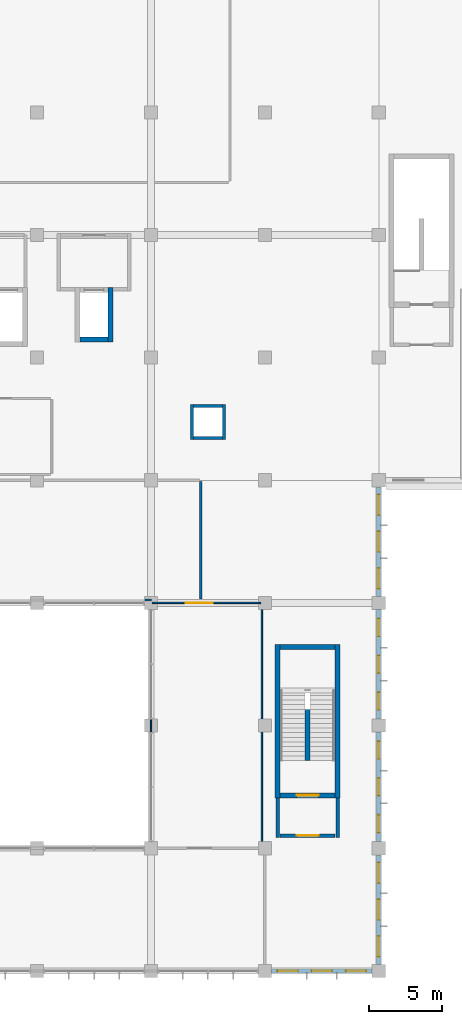
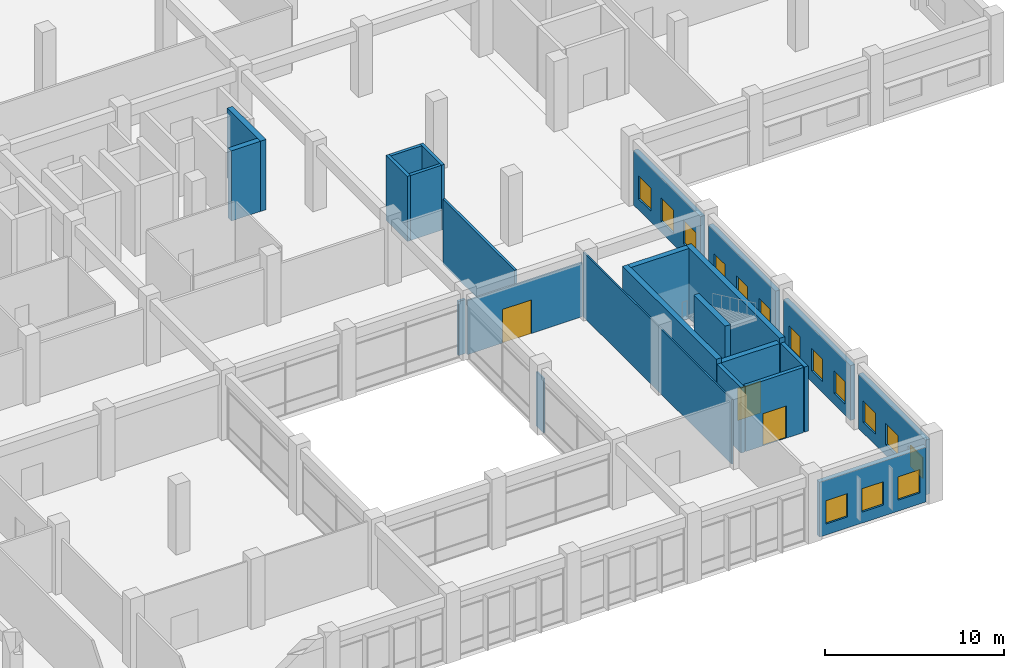
# One storey, part 63 of 79: 24 walls, 15 windows, 3 doors, 18 openings.
"""IFC4 building model written with IfcOpenShell, lengths in metres."""

import ifcopenshell
import ifcopenshell.guid

model = None  # the IFC model being written
_history = None  # IfcOwnerHistory: only IFC2X3 demands one
_inside = {}  # id of a spatial element -> (the spatial element, [elements in it])
_under = {}  # id of a project, library or spatial element -> (it, [spatial elements below it])
_declared = {}  # id of a project -> (the project, [libraries it declares])
_typed = {}  # id of a type object -> (the type object, [elements of that type])
_made_of = {}  # id of a material, layer set ... -> (it, [elements and type objects made of it])


def new_model(schema):
    """Start an empty IFC model of exactly this schema.

    Asked for "IFC4X3", IfcOpenShell would pick the latest addendum, in which some entities
    have other attributes; the version numbers below select the first issue.
    IFC2X3 requires an IfcOwnerHistory on every rooted entity: one is made here for all.
    """
    global model, _history
    if schema == "IFC4X3":
        model = ifcopenshell.file(schema_version=(4, 3, 0, 0))
    else:
        model = ifcopenshell.file(schema=schema)
    _inside.clear()
    _under.clear()
    _declared.clear()
    _typed.clear()
    _made_of.clear()
    _history = None
    if model.schema == "IFC2X3":
        org = make("IfcOrganization", Name="unknown")
        user = make(
            "IfcPersonAndOrganization",
            ThePerson=make("IfcPerson", FamilyName="unknown"),
            TheOrganization=org,
        )
        app = make(
            "IfcApplication",
            ApplicationDeveloper=org,
            Version="unknown",
            ApplicationFullName="unknown",
            ApplicationIdentifier="unknown",
        )
        _history = make(
            "IfcOwnerHistory",
            OwningUser=user,
            OwningApplication=app,
            ChangeAction="ADDED",
            CreationDate=0,
        )
    return model


def make(cls, **values):
    """One entity of the class cls with the attributes given. An attribute that is None is left unset."""
    return model.create_entity(
        cls, **{name: value for name, value in values.items() if value is not None}
    )


def rooted(cls, **values):
    """An entity with a GlobalId (a new one), such as an element, a storey or a relation."""
    return make(cls, GlobalId=ifcopenshell.guid.new(), OwnerHistory=_history, **values)


def si_unit(unit_type, name, prefix=None):
    """IfcSIUnit, for example si_unit("LENGTHUNIT", "METRE", prefix="MILLI")."""
    return make("IfcSIUnit", UnitType=unit_type, Prefix=prefix, Name=name)


def assignment(units):
    """IfcUnitAssignment: the units of a project."""
    return None if units is None else make("IfcUnitAssignment", Units=units)


def point(xyz):
    """IfcCartesianPoint."""
    return None if xyz is None else make("IfcCartesianPoint", Coordinates=xyz)


def direction(xyz):
    """IfcDirection."""
    return None if xyz is None else make("IfcDirection", DirectionRatios=xyz)


def frame(location, z_axis=None, x_axis=None):
    """IfcAxis2Placement3D, a coordinate frame: its origin and axes. An axis left out is left unset."""
    return make(
        "IfcAxis2Placement3D",
        Location=point(location),
        Axis=direction(z_axis),
        RefDirection=direction(x_axis),
    )


def frame_2d(location, x_axis=None):
    """IfcAxis2Placement2D, a coordinate frame in the plane: its origin and x axis."""
    return make(
        "IfcAxis2Placement2D", Location=point(location), RefDirection=direction(x_axis)
    )


def origin():
    """The frame at (0, 0, 0) with its axes left unset."""
    return frame((0.0, 0.0, 0.0))


def place(relative_to, where):
    """IfcLocalPlacement: puts the frame where relative to a parent placement (None: the world)."""
    return make(
        "IfcLocalPlacement", PlacementRelTo=relative_to, RelativePlacement=where
    )


def context(
    kind, dimensions, precision=None, world=None, true_north=None, identifier=None
):
    """IfcGeometricRepresentationContext, for example the 3D "Model" context."""
    return make(
        "IfcGeometricRepresentationContext",
        ContextIdentifier=identifier,
        ContextType=kind,
        CoordinateSpaceDimension=dimensions,
        Precision=precision,
        WorldCoordinateSystem=world,
        TrueNorth=true_north,
    )


def subcontext(parent, identifier, kind, view, scale=None):
    """IfcGeometricRepresentationSubContext, for example "Body" below "Model"."""
    return make(
        "IfcGeometricRepresentationSubContext",
        ContextIdentifier=identifier,
        ContextType=kind,
        ParentContext=parent,
        TargetScale=scale,
        TargetView=view,
    )


def project(units=None, contexts=None):
    """IfcProject with its units and contexts."""
    return rooted(
        "IfcProject",
        Name="project",
        RepresentationContexts=contexts,
        UnitsInContext=assignment(units),
    )


def spatial(cls, under=None, at=None, **own):
    """A site, building, storey or space (cls), placed at a placement, below another one or the project."""
    s = rooted(cls, ObjectPlacement=at, **own)
    if under is not None:
        _under.setdefault(under.id(), (under, []))[1].append(s)
    return s


def profile(cls, at=None, kind="AREA", **sizes):
    """A parametric profile (cls). Its sizes go by their IFC names, for example OverallWidth=200.0."""
    return make(cls, ProfileType=kind, Position=at, **sizes)


def rectangle(**sizes):
    """IfcRectangleProfileDef."""
    return profile("IfcRectangleProfileDef", **sizes)


def extrude(swept, where, along, depth):
    """IfcExtrudedAreaSolid: the profile swept, set in the frame where, extruded along a direction by depth."""
    return make(
        "IfcExtrudedAreaSolid",
        SweptArea=swept,
        Position=where,
        ExtrudedDirection=direction(along),
        Depth=depth,
    )


def shape(context_of_items, identifier, shape_type, items):
    """IfcShapeRepresentation: the items that make up one representation, for example the "Body"."""
    return make(
        "IfcShapeRepresentation",
        ContextOfItems=context_of_items,
        RepresentationIdentifier=identifier,
        RepresentationType=shape_type,
        Items=items,
    )


def material(Name=None, Category=None):
    """IfcMaterial."""
    return make("IfcMaterial", Name=Name, Category=Category)


def layer(
    of_material, thickness, ventilated=None, Name=None, Category=None, Priority=None
):
    """IfcMaterialLayer: one layer of a wall or slab, of a material (None: an air gap)."""
    return make(
        "IfcMaterialLayer",
        Material=of_material,
        LayerThickness=thickness,
        IsVentilated=ventilated,
        Name=Name,
        Category=Category,
        Priority=Priority,
    )


def layer_set(layers, Name=None):
    """IfcMaterialLayerSet."""
    return make("IfcMaterialLayerSet", MaterialLayers=layers, LayerSetName=Name)


def made_of(thing, what):
    """Note that an element or type object is made of a material, layer set ...; save() writes the relation."""
    if what is not None:
        _made_of.setdefault(what.id(), (what, []))[1].append(thing)
    return thing


def type_object(cls, material=None, **own):
    """A type object (cls), such as IfcWallType, which elements share."""
    return made_of(rooted(cls, **own), material)


def element(
    cls,
    number,
    at=None,
    inside=None,
    cuts=None,
    type_object=None,
    material=None,
    context=None,
    identifier="Body",
    shape_type=None,
    held_by="IfcProductDefinitionShape",
    body=None,
    shapes=None,
    **own,
):
    """One element of the class cls, such as IfcWall. Its Tag is "e" and its number.

    at: its placement. inside: the storey or other place that contains it. cuts: it is an
    opening in that element (IfcRelVoidsElement). A single representation is given by context,
    identifier, shape_type and body (its items); several are given by shapes. held_by: the class
    of the entity that holds the representations. save() writes the other relations.
    """
    e = rooted(cls, Tag="e%d" % number, ObjectPlacement=at, **own)
    if body is not None:
        shapes = [shape(context, identifier, shape_type, body)]
    if shapes is not None:
        e.Representation = make(held_by, Representations=shapes)
    if inside is not None:
        _inside.setdefault(inside.id(), (inside, []))[1].append(e)
    if cuts is not None:
        rooted(
            "IfcRelVoidsElement", RelatingBuildingElement=cuts, RelatedOpeningElement=e
        )
    if type_object is not None:
        _typed.setdefault(type_object.id(), (type_object, []))[1].append(e)
    return made_of(e, material)


def fill(opening, filler):
    """IfcRelFillsElement: the door or window that sits in an opening."""
    return rooted(
        "IfcRelFillsElement",
        RelatingOpeningElement=opening,
        RelatedBuildingElement=filler,
    )


def aggregate(whole, parts):
    """IfcRelAggregates: a whole, such as a stair, and the parts it consists of."""
    return rooted("IfcRelAggregates", RelatingObject=whole, RelatedObjects=parts)


def save(model, path):
    """Write the relations noted so far, then the file.

    IfcRelAggregates (storeys below a building ...), IfcRelContainedInSpatialStructure (elements
    in a storey), IfcRelDefinesByType, IfcRelAssociatesMaterial and IfcRelDeclares: one each for
    every whole, place, type object, material and project.
    """
    for whole, parts in _under.values():
        aggregate(whole, parts)
    for where, things in _inside.values():
        rooted(
            "IfcRelContainedInSpatialStructure",
            RelatedElements=things,
            RelatingStructure=where,
        )
    for kind, things in _typed.values():
        rooted("IfcRelDefinesByType", RelatedObjects=things, RelatingType=kind)
    for what, things in _made_of.values():
        rooted("IfcRelAssociatesMaterial", RelatedObjects=things, RelatingMaterial=what)
    for by, libraries in _declared.values():
        rooted("IfcRelDeclares", RelatingContext=by, RelatedDefinitions=libraries)
    model.write(path)


model = new_model("IFC4")

# Units and contexts
model_context = context("Model", 3, precision=1e-05, world=origin(), true_north=direction((0.0, 1.0)))
body_context = subcontext(model_context, "Body", "Model", "MODEL_VIEW")
ifc_project = project(units=[si_unit("LENGTHUNIT", "METRE"), si_unit("AREAUNIT", "SQUARE_METRE"), si_unit("VOLUMEUNIT", "CUBIC_METRE"), si_unit("PLANEANGLEUNIT", "RADIAN"), si_unit("MASSUNIT", "GRAM", prefix="KILO"), si_unit("THERMODYNAMICTEMPERATUREUNIT", "KELVIN"), si_unit("POWERUNIT", "WATT")], contexts=[model_context])

# Site, building, storey
site_placement = place(None, origin())
site = spatial("IfcSite", under=ifc_project, at=site_placement, CompositionType="ELEMENT")
building_placement = place(site_placement, origin())
building = spatial("IfcBuilding", under=site, at=building_placement, Name="Srebrne Nadtorze General Hospital", CompositionType="ELEMENT")
storey_placement = place(building_placement, frame((0.0, 0.0, 4.800048828125)))
storey = spatial("IfcBuildingStorey", under=building, at=storey_placement, Name="L01", CompositionType="ELEMENT", Elevation=4.800048828125)

# Walls
ifc_material_1 = material(Name="Gypsum Healthcare Partition")
ifc_layer_1 = layer(ifc_material_1, 0.159912109375)
ifc_layer_set_1 = layer_set([ifc_layer_1], Name="Gypsum Healthcare Partition")
wall_type_1 = type_object("IfcWallType", Name="Clinical partition 160", PredefinedType="PARTITIONING", material=ifc_layer_set_1)
wall_1_placement = place(storey_placement, frame((132.18994140625, 25.39990234375, 0.0), z_axis=(0.0, 0.0, 1.0), x_axis=(1.0, 0.0, 0.0)))
element("IfcWall", 1, at=wall_1_placement, inside=storey, type_object=wall_type_1, Name="Outpatient Rheumatology and Immunology Clinic wall WL-INT-L01-1493", PredefinedType="PARTITIONING", context=body_context, shape_type="SweptSolid", body=[
    extrude(rectangle(XDim=0.455078125, YDim=0.159912109375, at=frame_2d((0.2275390625, 0.0))), origin(), (0.0, 0.0, 1.0), 3.699951171875),
])
wall_2_placement = place(storey_placement, frame((136.0, 25.485107421875, 0.0), z_axis=(0.0, 0.0, 1.0), x_axis=(0.0, 1.0, 0.0)))
element("IfcWall", 2, at=wall_2_placement, inside=storey, type_object=wall_type_1, Name="Outpatient Rheumatology and Immunology Clinic wall WL-INT-L01-1495", PredefinedType="PARTITIONING", context=body_context, shape_type="SweptSolid", body=[
    extrude(rectangle(XDim=8.02978515625, YDim=0.159912109375, at=frame_2d((4.014892578125, 0.0))), origin(), (0.0, 0.0, 1.0), 4.429931640625),
])
ifc_material_2 = material(Name="Gypsum Healthcare Partition")
ifc_layer_2 = layer(ifc_material_2, 0.199951171875)
ifc_layer_set_2 = layer_set([ifc_layer_2], Name="Gypsum Healthcare Partition")
wall_type_2 = type_object("IfcWallType", Name="Compartment wall 200", PredefinedType="STANDARD", material=ifc_layer_set_2)
for number, where, z_axis, x_axis, name in (
    (3, (135.39990234375, 36.39990234375, 0.0), (0.0, 0.0, 1.0), (0.0, 1.0, 0.0), "MEP riser wall WL-INT-L01-0961"),
    (4, (137.60009765625, 36.39990234375, 0.0), (0.0, 0.0, 1.0), (0.0, 1.0, 0.0), "MEP riser wall WL-INT-L01-0962"),
):
    element("IfcWall", number, at=place(storey_placement, frame(where, z_axis=z_axis, x_axis=x_axis)), inside=storey, type_object=wall_type_2, Name=name, PredefinedType="STANDARD", context=body_context, shape_type="SweptSolid", body=[
        extrude(rectangle(XDim=2.400146484375, YDim=0.199951171875, at=frame_2d((1.2001953125, 0.0))), origin(), (0.0, 0.0, 1.0), 4.449951171875),
    ])
for number, where, z_axis, x_axis, name in (
    (5, (135.5, 36.5, 0.0), (0.0, 0.0, 1.0), (1.0, 0.0, 0.0), "MEP riser wall WL-INT-L01-0963"),
    (6, (135.5, 38.699951171875, 0.0), (0.0, 0.0, 1.0), (1.0, 0.0, 0.0), "MEP riser wall WL-INT-L01-0964"),
):
    element("IfcWall", number, at=place(storey_placement, frame(where, z_axis=z_axis, x_axis=x_axis)), inside=storey, type_object=wall_type_2, Name=name, PredefinedType="STANDARD", context=body_context, shape_type="SweptSolid", body=[
        extrude(rectangle(XDim=2.0, YDim=0.199951171875, at=frame_2d((1.0, 0.0))), origin(), (0.0, 0.0, 1.0), 4.449951171875),
    ])
ifc_material_3 = material(Name="Gypsum Healthcare Partition")
ifc_layer_3 = layer(ifc_material_3, 0.239990234375)
ifc_layer_set_3 = layer_set([ifc_layer_3], Name="Gypsum Healthcare Partition")
wall_type_3 = type_object("IfcWallType", Name="Corridor fire wall 240", PredefinedType="STANDARD", material=ifc_layer_set_3)
for number, where, z_axis, x_axis, name in (
    (7, (141.27490234375, 9.155029296875, 0.0), (0.0, 0.0, 1.0), (0.0, 1.0, 0.0), "Fire lobby wall ST-08 WL-INT-L01-0189"),
    (8, (145.375, 9.155029296875, 0.0), (0.0, 0.0, 1.0), (0.0, 1.0, 0.0), "Fire lobby wall ST-08 WL-INT-L01-0190"),
):
    element("IfcWall", number, at=place(storey_placement, frame(where, z_axis=z_axis, x_axis=x_axis)), inside=storey, type_object=wall_type_3, Name=name, PredefinedType="STANDARD", context=body_context, shape_type="SweptSolid", body=[
        extrude(rectangle(XDim=2.695068359375, YDim=0.239990234375, at=frame_2d((1.34765625, 0.0))), origin(), (0.0, 0.0, 1.0), 4.449951171875),
    ])

# Wall, opening, door
wall_3_placement = place(storey_placement, frame((141.449951171875, 9.27490234375, 0.0), z_axis=(0.0, 0.0, 1.0), x_axis=(1.0, 0.0, 0.0)))
wall_3 = element("IfcWall", 9, at=wall_3_placement, inside=storey, type_object=wall_type_3, Name="Fire lobby entry wall ST-08 WL-INT-L01-0191", PredefinedType="STANDARD", context=body_context, shape_type="SweptSolid", body=[
    extrude(rectangle(XDim=3.75, YDim=0.239990234375, at=frame_2d((1.875, 0.0))), origin(), (0.0, 0.0, 1.0), 4.449951171875),
])
opening_1_placement = place(wall_3_placement, frame((1.125, 0.0, 0.0)))
opening_1 = element("IfcOpeningElement", 10, at=opening_1_placement, cuts=wall_3, Name="Opening D-L01-0048", PredefinedType="OPENING", context=body_context, shape_type="SweptSolid", body=[
    extrude(rectangle(XDim=1.5, YDim=2.199951171875, at=frame_2d((0.75, 1.10009765625))), frame((0.0, 0.1318359375, 0.0), z_axis=(0.0, -1.0, 0.0), x_axis=(1.0, 0.0, 0.0)), (0.0, 0.0, 1.0), 0.263916015625),
])
ifc_material_4 = material(Name="Anodised Aluminium", Category="aluminium")
door_type_1 = type_object("IfcDoorType", Name="Double leaf door 1500x2200", OperationType="DOUBLE_DOOR_SINGLE_SWING", PredefinedType="DOOR", material=ifc_material_4)
door_1_placement = place(opening_1_placement, origin())
door_1 = element("IfcDoor", 11, at=door_1_placement, inside=storey, type_object=door_type_1, Name="Fire lobby door ST-08 D-L01-0048", OperationType="DOUBLE_DOOR_SINGLE_SWING", OverallHeight=2.199951171875, OverallWidth=1.5, PredefinedType="DOOR", context=body_context, shape_type="SweptSolid", body=[
    extrude(rectangle(XDim=1.5, YDim=2.199951171875, at=frame_2d((0.75, 1.10009765625))), frame((0.0, 0.02490234375, 0.0), z_axis=(0.0, -1.0, 0.0), x_axis=(1.0, 0.0, 0.0)), (0.0, 0.0, 1.0), 0.050048828125),
])
fill(opening_1, door_1)

# Wall, openings, windows
ifc_material_5 = material(Name="Concrete C40/50 precast", Category="concrete")
ifc_layer_4 = layer(ifc_material_5, 0.300048828125)
ifc_layer_set_4 = layer_set([ifc_layer_4], Name="Concrete C40/50 precast")
wall_type_4 = type_object("IfcWallType", Name="Limestone precast wall 300", PredefinedType="STANDARD", material=ifc_layer_set_4)
wall_4_placement = place(storey_placement, frame((140.85009765625, 0.0, 0.0), z_axis=(0.0, 0.0, 1.0), x_axis=(1.0, 0.0, 0.0)))
wall_4 = element("IfcWall", 12, at=wall_4_placement, inside=storey, type_object=wall_type_4, Name="Exterior wall WL-ENV-L01-0155", PredefinedType="STANDARD", context=body_context, shape_type="SweptSolid", body=[
    extrude(rectangle(XDim=6.89990234375, YDim=0.300048828125, at=frame_2d((3.449951171875, 0.0))), origin(), (0.0, 0.0, 1.0), 3.75),
])
opening_2_placement = place(wall_4_placement, frame((0.409912109375, 0.0, 0.75)))
opening_2 = element("IfcOpeningElement", 13, at=opening_2_placement, cuts=wall_4, Name="Opening WN-L01-0130", PredefinedType="OPENING", context=body_context, shape_type="SweptSolid", body=[
    extrude(rectangle(XDim=1.39990234375, YDim=1.60009765625, at=frame_2d((0.699951171875, 0.800048828125))), frame((0.0, 0.162109375, 0.0), z_axis=(0.0, -1.0, 0.0), x_axis=(1.0, 0.0, 0.0)), (0.0, 0.0, 1.0), 0.323974609375),
])
opening_3_placement = place(wall_4_placement, frame((2.75, 0.0, 0.75)))
opening_3 = element("IfcOpeningElement", 14, at=opening_3_placement, cuts=wall_4, Name="Opening WN-L01-0131", PredefinedType="OPENING", context=body_context, shape_type="SweptSolid", body=[
    extrude(rectangle(XDim=1.39990234375, YDim=1.60009765625, at=frame_2d((0.699951171875, 0.800048828125))), frame((0.0, 0.162109375, 0.0), z_axis=(0.0, -1.0, 0.0), x_axis=(1.0, 0.0, 0.0)), (0.0, 0.0, 1.0), 0.323974609375),
])
opening_4_placement = place(wall_4_placement, frame((5.090087890625, 0.0, 0.75)))
opening_4 = element("IfcOpeningElement", 15, at=opening_4_placement, cuts=wall_4, Name="Opening WN-L01-0132", PredefinedType="OPENING", context=body_context, shape_type="SweptSolid", body=[
    extrude(rectangle(XDim=1.39990234375, YDim=1.60009765625, at=frame_2d((0.699951171875, 0.800048828125))), frame((0.0, 0.162109375, 0.0), z_axis=(0.0, -1.0, 0.0), x_axis=(1.0, 0.0, 0.0)), (0.0, 0.0, 1.0), 0.323974609375),
])
ifc_material_6 = material(Name="Triple Low-E Glazing", Category="glass")
window_type_1 = type_object("IfcWindowType", Name="Punched clinical window 1400x1600", PartitioningType="SINGLE_PANEL", PredefinedType="WINDOW", material=ifc_material_6)
window_1_placement = place(opening_2_placement, origin())
window_1 = element("IfcWindow", 16, at=window_1_placement, inside=storey, type_object=window_type_1, Name="Clinical window WN-L01-0130", OverallHeight=1.60009765625, OverallWidth=1.39990234375, PartitioningType="SINGLE_PANEL", PredefinedType="WINDOW", context=body_context, shape_type="SweptSolid", body=[
    extrude(rectangle(XDim=1.39990234375, YDim=1.60009765625, at=frame_2d((0.699951171875, 0.800048828125))), frame((0.0, 0.030029296875, 0.0), z_axis=(0.0, -1.0, 0.0), x_axis=(1.0, 0.0, 0.0)), (0.0, 0.0, 1.0), 0.06005859375),
])
fill(opening_2, window_1)
window_2_placement = place(opening_3_placement, origin())
window_2 = element("IfcWindow", 17, at=window_2_placement, inside=storey, type_object=window_type_1, Name="Clinical window WN-L01-0131", OverallHeight=1.60009765625, OverallWidth=1.39990234375, PartitioningType="SINGLE_PANEL", PredefinedType="WINDOW", context=body_context, shape_type="SweptSolid", body=[
    extrude(rectangle(XDim=1.39990234375, YDim=1.60009765625, at=frame_2d((0.699951171875, 0.800048828125))), frame((0.0, 0.030029296875, 0.0), z_axis=(0.0, -1.0, 0.0), x_axis=(1.0, 0.0, 0.0)), (0.0, 0.0, 1.0), 0.06005859375),
])
fill(opening_3, window_2)
window_3_placement = place(opening_4_placement, origin())
window_3 = element("IfcWindow", 18, at=window_3_placement, inside=storey, type_object=window_type_1, Name="Clinical window WN-L01-0132", OverallHeight=1.60009765625, OverallWidth=1.39990234375, PartitioningType="SINGLE_PANEL", PredefinedType="WINDOW", context=body_context, shape_type="SweptSolid", body=[
    extrude(rectangle(XDim=1.39990234375, YDim=1.60009765625, at=frame_2d((0.699951171875, 0.800048828125))), frame((0.0, 0.030029296875, 0.0), z_axis=(0.0, -1.0, 0.0), x_axis=(1.0, 0.0, 0.0)), (0.0, 0.0, 1.0), 0.06005859375),
])
fill(opening_4, window_3)

wall_5_placement = place(storey_placement, frame((148.199951171875, 0.449951171875, 0.0), z_axis=(0.0, 0.0, 1.0), x_axis=(0.0, 1.0, 0.0)))
wall_5 = element("IfcWall", 19, at=wall_5_placement, inside=storey, type_object=wall_type_4, Name="Exterior wall WL-ENV-L01-0203", PredefinedType="STANDARD", context=body_context, shape_type="SweptSolid", body=[
    extrude(rectangle(XDim=7.5, YDim=0.300048828125, at=frame_2d((3.75, 0.0))), origin(), (0.0, 0.0, 1.0), 3.75),
])
opening_5_placement = place(wall_5_placement, frame((0.530029296875, 0.0, 0.75)))
opening_5 = element("IfcOpeningElement", 20, at=opening_5_placement, cuts=wall_5, Name="Opening WN-L01-0225", PredefinedType="OPENING", context=body_context, shape_type="SweptSolid", body=[
    extrude(rectangle(XDim=1.39990234375, YDim=1.449951171875, at=frame_2d((0.699951171875, 0.72509765625))), frame((0.0, 0.162109375, 0.0), z_axis=(0.0, -1.0, 0.0), x_axis=(1.0, 0.0, 0.0)), (0.0, 0.0, 1.0), 0.323974609375),
])
opening_6_placement = place(wall_5_placement, frame((3.050048828125, 0.0, 0.75)))
opening_6 = element("IfcOpeningElement", 21, at=opening_6_placement, cuts=wall_5, Name="Opening WN-L01-0226", PredefinedType="OPENING", context=body_context, shape_type="SweptSolid", body=[
    extrude(rectangle(XDim=1.39990234375, YDim=1.449951171875, at=frame_2d((0.699951171875, 0.72509765625))), frame((0.0, 0.162109375, 0.0), z_axis=(0.0, -1.0, 0.0), x_axis=(1.0, 0.0, 0.0)), (0.0, 0.0, 1.0), 0.323974609375),
])
opening_7_placement = place(wall_5_placement, frame((5.570068359375, 0.0, 0.75)))
opening_7 = element("IfcOpeningElement", 22, at=opening_7_placement, cuts=wall_5, Name="Opening WN-L01-0227", PredefinedType="OPENING", context=body_context, shape_type="SweptSolid", body=[
    extrude(rectangle(XDim=1.39990234375, YDim=1.449951171875, at=frame_2d((0.699951171875, 0.72509765625))), frame((0.0, 0.162109375, 0.0), z_axis=(0.0, -1.0, 0.0), x_axis=(1.0, 0.0, 0.0)), (0.0, 0.0, 1.0), 0.323974609375),
])
ifc_material_7 = material(Name="Triple Low-E Glazing", Category="glass")
window_type_2 = type_object("IfcWindowType", Name="Punched clinical window 1400x1450", PartitioningType="SINGLE_PANEL", PredefinedType="WINDOW", material=ifc_material_7)
window_4_placement = place(opening_5_placement, origin())
window_4 = element("IfcWindow", 23, at=window_4_placement, inside=storey, type_object=window_type_2, Name="Clinical window WN-L01-0225", OverallHeight=1.449951171875, OverallWidth=1.39990234375, PartitioningType="SINGLE_PANEL", PredefinedType="WINDOW", context=body_context, shape_type="SweptSolid", body=[
    extrude(rectangle(XDim=1.39990234375, YDim=1.449951171875, at=frame_2d((0.699951171875, 0.72509765625))), frame((0.0, 0.030029296875, 0.0), z_axis=(0.0, -1.0, 0.0), x_axis=(1.0, 0.0, 0.0)), (0.0, 0.0, 1.0), 0.06005859375),
])
fill(opening_5, window_4)
window_5_placement = place(opening_6_placement, origin())
window_5 = element("IfcWindow", 24, at=window_5_placement, inside=storey, type_object=window_type_2, Name="Clinical window WN-L01-0226", OverallHeight=1.449951171875, OverallWidth=1.39990234375, PartitioningType="SINGLE_PANEL", PredefinedType="WINDOW", context=body_context, shape_type="SweptSolid", body=[
    extrude(rectangle(XDim=1.39990234375, YDim=1.449951171875, at=frame_2d((0.699951171875, 0.72509765625))), frame((0.0, 0.030029296875, 0.0), z_axis=(0.0, -1.0, 0.0), x_axis=(1.0, 0.0, 0.0)), (0.0, 0.0, 1.0), 0.06005859375),
])
fill(opening_6, window_5)
window_6_placement = place(opening_7_placement, origin())
window_6 = element("IfcWindow", 25, at=window_6_placement, inside=storey, type_object=window_type_2, Name="Clinical window WN-L01-0227", OverallHeight=1.449951171875, OverallWidth=1.39990234375, PartitioningType="SINGLE_PANEL", PredefinedType="WINDOW", context=body_context, shape_type="SweptSolid", body=[
    extrude(rectangle(XDim=1.39990234375, YDim=1.449951171875, at=frame_2d((0.699951171875, 0.72509765625))), frame((0.0, 0.030029296875, 0.0), z_axis=(0.0, -1.0, 0.0), x_axis=(1.0, 0.0, 0.0)), (0.0, 0.0, 1.0), 0.06005859375),
])
fill(opening_7, window_6)

wall_6_placement = place(storey_placement, frame((148.199951171875, 8.85009765625, 0.0), z_axis=(0.0, 0.0, 1.0), x_axis=(0.0, 1.0, 0.0)))
wall_6 = element("IfcWall", 26, at=wall_6_placement, inside=storey, type_object=wall_type_4, Name="Exterior wall WL-ENV-L01-0204", PredefinedType="STANDARD", context=body_context, shape_type="SweptSolid", body=[
    extrude(rectangle(XDim=7.5, YDim=0.300048828125, at=frame_2d((3.75, 0.0))), origin(), (0.0, 0.0, 1.0), 3.75),
])
opening_8_placement = place(wall_6_placement, frame((0.6298828125, 0.0, 0.75)))
opening_8 = element("IfcOpeningElement", 27, at=opening_8_placement, cuts=wall_6, Name="Opening WN-L01-0228", PredefinedType="OPENING", context=body_context, shape_type="SweptSolid", body=[
    extrude(rectangle(XDim=1.199951171875, YDim=1.550048828125, at=frame_2d((0.60009765625, 0.77490234375))), frame((0.0, 0.162109375, 0.0), z_axis=(0.0, -1.0, 0.0), x_axis=(1.0, 0.0, 0.0)), (0.0, 0.0, 1.0), 0.323974609375),
])
opening_9_placement = place(wall_6_placement, frame((3.14990234375, 0.0, 0.75)))
opening_9 = element("IfcOpeningElement", 28, at=opening_9_placement, cuts=wall_6, Name="Opening WN-L01-0229", PredefinedType="OPENING", context=body_context, shape_type="SweptSolid", body=[
    extrude(rectangle(XDim=1.199951171875, YDim=1.550048828125, at=frame_2d((0.60009765625, 0.77490234375))), frame((0.0, 0.162109375, 0.0), z_axis=(0.0, -1.0, 0.0), x_axis=(1.0, 0.0, 0.0)), (0.0, 0.0, 1.0), 0.323974609375),
])
opening_10_placement = place(wall_6_placement, frame((5.669921875, 0.0, 0.75)))
opening_10 = element("IfcOpeningElement", 29, at=opening_10_placement, cuts=wall_6, Name="Opening WN-L01-0230", PredefinedType="OPENING", context=body_context, shape_type="SweptSolid", body=[
    extrude(rectangle(XDim=1.199951171875, YDim=1.550048828125, at=frame_2d((0.60009765625, 0.77490234375))), frame((0.0, 0.162109375, 0.0), z_axis=(0.0, -1.0, 0.0), x_axis=(1.0, 0.0, 0.0)), (0.0, 0.0, 1.0), 0.323974609375),
])
ifc_material_8 = material(Name="Triple Low-E Glazing", Category="glass")
window_type_3 = type_object("IfcWindowType", Name="Punched clinical window 1200x1550", PartitioningType="SINGLE_PANEL", PredefinedType="WINDOW", material=ifc_material_8)
window_7_placement = place(opening_8_placement, origin())
window_7 = element("IfcWindow", 30, at=window_7_placement, inside=storey, type_object=window_type_3, Name="Clinical window WN-L01-0228", OverallHeight=1.550048828125, OverallWidth=1.199951171875, PartitioningType="SINGLE_PANEL", PredefinedType="WINDOW", context=body_context, shape_type="SweptSolid", body=[
    extrude(rectangle(XDim=1.199951171875, YDim=1.550048828125, at=frame_2d((0.60009765625, 0.77490234375))), frame((0.0, 0.030029296875, 0.0), z_axis=(0.0, -1.0, 0.0), x_axis=(1.0, 0.0, 0.0)), (0.0, 0.0, 1.0), 0.06005859375),
])
fill(opening_8, window_7)
window_8_placement = place(opening_9_placement, origin())
window_8 = element("IfcWindow", 31, at=window_8_placement, inside=storey, type_object=window_type_3, Name="Clinical window WN-L01-0229", OverallHeight=1.550048828125, OverallWidth=1.199951171875, PartitioningType="SINGLE_PANEL", PredefinedType="WINDOW", context=body_context, shape_type="SweptSolid", body=[
    extrude(rectangle(XDim=1.199951171875, YDim=1.550048828125, at=frame_2d((0.60009765625, 0.77490234375))), frame((0.0, 0.030029296875, 0.0), z_axis=(0.0, -1.0, 0.0), x_axis=(1.0, 0.0, 0.0)), (0.0, 0.0, 1.0), 0.06005859375),
])
fill(opening_9, window_8)
window_9_placement = place(opening_10_placement, origin())
window_9 = element("IfcWindow", 32, at=window_9_placement, inside=storey, type_object=window_type_3, Name="Clinical window WN-L01-0230", OverallHeight=1.550048828125, OverallWidth=1.199951171875, PartitioningType="SINGLE_PANEL", PredefinedType="WINDOW", context=body_context, shape_type="SweptSolid", body=[
    extrude(rectangle(XDim=1.199951171875, YDim=1.550048828125, at=frame_2d((0.60009765625, 0.77490234375))), frame((0.0, 0.030029296875, 0.0), z_axis=(0.0, -1.0, 0.0), x_axis=(1.0, 0.0, 0.0)), (0.0, 0.0, 1.0), 0.06005859375),
])
fill(opening_10, window_9)

wall_7_placement = place(storey_placement, frame((148.199951171875, 17.25, 0.0), z_axis=(0.0, 0.0, 1.0), x_axis=(0.0, 1.0, 0.0)))
wall_7 = element("IfcWall", 33, at=wall_7_placement, inside=storey, type_object=wall_type_4, Name="Exterior wall WL-ENV-L01-0205", PredefinedType="STANDARD", context=body_context, shape_type="SweptSolid", body=[
    extrude(rectangle(XDim=7.5, YDim=0.300048828125, at=frame_2d((3.75, 0.0))), origin(), (0.0, 0.0, 1.0), 3.75),
])
opening_11_placement = place(wall_7_placement, frame((0.6298828125, 0.0, 0.75)))
opening_11 = element("IfcOpeningElement", 34, at=opening_11_placement, cuts=wall_7, Name="Opening WN-L01-0231", PredefinedType="OPENING", context=body_context, shape_type="SweptSolid", body=[
    extrude(rectangle(XDim=1.199951171875, YDim=1.39990234375, at=frame_2d((0.60009765625, 0.699951171875))), frame((0.0, 0.162109375, 0.0), z_axis=(0.0, -1.0, 0.0), x_axis=(1.0, 0.0, 0.0)), (0.0, 0.0, 1.0), 0.323974609375),
])
opening_12_placement = place(wall_7_placement, frame((3.14990234375, 0.0, 0.75)))
opening_12 = element("IfcOpeningElement", 35, at=opening_12_placement, cuts=wall_7, Name="Opening WN-L01-0232", PredefinedType="OPENING", context=body_context, shape_type="SweptSolid", body=[
    extrude(rectangle(XDim=1.199951171875, YDim=1.39990234375, at=frame_2d((0.60009765625, 0.699951171875))), frame((0.0, 0.162109375, 0.0), z_axis=(0.0, -1.0, 0.0), x_axis=(1.0, 0.0, 0.0)), (0.0, 0.0, 1.0), 0.323974609375),
])
opening_13_placement = place(wall_7_placement, frame((5.669921875, 0.0, 0.75)))
opening_13 = element("IfcOpeningElement", 36, at=opening_13_placement, cuts=wall_7, Name="Opening WN-L01-0233", PredefinedType="OPENING", context=body_context, shape_type="SweptSolid", body=[
    extrude(rectangle(XDim=1.199951171875, YDim=1.39990234375, at=frame_2d((0.60009765625, 0.699951171875))), frame((0.0, 0.162109375, 0.0), z_axis=(0.0, -1.0, 0.0), x_axis=(1.0, 0.0, 0.0)), (0.0, 0.0, 1.0), 0.323974609375),
])
ifc_material_9 = material(Name="Triple Low-E Glazing", Category="glass")
window_type_4 = type_object("IfcWindowType", Name="Punched clinical window 1200x1400", PartitioningType="SINGLE_PANEL", PredefinedType="WINDOW", material=ifc_material_9)
window_10_placement = place(opening_11_placement, origin())
window_10 = element("IfcWindow", 37, at=window_10_placement, inside=storey, type_object=window_type_4, Name="Clinical window WN-L01-0231", OverallHeight=1.39990234375, OverallWidth=1.199951171875, PartitioningType="SINGLE_PANEL", PredefinedType="WINDOW", context=body_context, shape_type="SweptSolid", body=[
    extrude(rectangle(XDim=1.199951171875, YDim=1.39990234375, at=frame_2d((0.60009765625, 0.699951171875))), frame((0.0, 0.030029296875, 0.0), z_axis=(0.0, -1.0, 0.0), x_axis=(1.0, 0.0, 0.0)), (0.0, 0.0, 1.0), 0.06005859375),
])
fill(opening_11, window_10)
window_11_placement = place(opening_12_placement, origin())
window_11 = element("IfcWindow", 38, at=window_11_placement, inside=storey, type_object=window_type_4, Name="Clinical window WN-L01-0232", OverallHeight=1.39990234375, OverallWidth=1.199951171875, PartitioningType="SINGLE_PANEL", PredefinedType="WINDOW", context=body_context, shape_type="SweptSolid", body=[
    extrude(rectangle(XDim=1.199951171875, YDim=1.39990234375, at=frame_2d((0.60009765625, 0.699951171875))), frame((0.0, 0.030029296875, 0.0), z_axis=(0.0, -1.0, 0.0), x_axis=(1.0, 0.0, 0.0)), (0.0, 0.0, 1.0), 0.06005859375),
])
fill(opening_12, window_11)
window_12_placement = place(opening_13_placement, origin())
window_12 = element("IfcWindow", 39, at=window_12_placement, inside=storey, type_object=window_type_4, Name="Clinical window WN-L01-0233", OverallHeight=1.39990234375, OverallWidth=1.199951171875, PartitioningType="SINGLE_PANEL", PredefinedType="WINDOW", context=body_context, shape_type="SweptSolid", body=[
    extrude(rectangle(XDim=1.199951171875, YDim=1.39990234375, at=frame_2d((0.60009765625, 0.699951171875))), frame((0.0, 0.030029296875, 0.0), z_axis=(0.0, -1.0, 0.0), x_axis=(1.0, 0.0, 0.0)), (0.0, 0.0, 1.0), 0.06005859375),
])
fill(opening_13, window_12)

wall_8_placement = place(storey_placement, frame((148.199951171875, 25.64990234375, 0.0), z_axis=(0.0, 0.0, 1.0), x_axis=(0.0, 1.0, 0.0)))
wall_8 = element("IfcWall", 40, at=wall_8_placement, inside=storey, type_object=wall_type_4, Name="Exterior wall WL-ENV-L01-0206", PredefinedType="STANDARD", context=body_context, shape_type="SweptSolid", body=[
    extrude(rectangle(XDim=7.5, YDim=0.300048828125, at=frame_2d((3.75, 0.0))), origin(), (0.0, 0.0, 1.0), 3.75),
])
opening_14_placement = place(wall_8_placement, frame((0.530029296875, 0.0, 0.75)))
opening_14 = element("IfcOpeningElement", 41, at=opening_14_placement, cuts=wall_8, Name="Opening WN-L01-0234", PredefinedType="OPENING", context=body_context, shape_type="SweptSolid", body=[
    extrude(rectangle(XDim=1.39990234375, YDim=1.60009765625, at=frame_2d((0.699951171875, 0.800048828125))), frame((0.0, 0.162109375, 0.0), z_axis=(0.0, -1.0, 0.0), x_axis=(1.0, 0.0, 0.0)), (0.0, 0.0, 1.0), 0.323974609375),
])
opening_15_placement = place(wall_8_placement, frame((3.050048828125, 0.0, 0.75)))
opening_15 = element("IfcOpeningElement", 42, at=opening_15_placement, cuts=wall_8, Name="Opening WN-L01-0235", PredefinedType="OPENING", context=body_context, shape_type="SweptSolid", body=[
    extrude(rectangle(XDim=1.39990234375, YDim=1.60009765625, at=frame_2d((0.699951171875, 0.800048828125))), frame((0.0, 0.162109375, 0.0), z_axis=(0.0, -1.0, 0.0), x_axis=(1.0, 0.0, 0.0)), (0.0, 0.0, 1.0), 0.323974609375),
])
opening_16_placement = place(wall_8_placement, frame((5.570068359375, 0.0, 0.75)))
opening_16 = element("IfcOpeningElement", 43, at=opening_16_placement, cuts=wall_8, Name="Opening WN-L01-0236", PredefinedType="OPENING", context=body_context, shape_type="SweptSolid", body=[
    extrude(rectangle(XDim=1.39990234375, YDim=1.60009765625, at=frame_2d((0.699951171875, 0.800048828125))), frame((0.0, 0.162109375, 0.0), z_axis=(0.0, -1.0, 0.0), x_axis=(1.0, 0.0, 0.0)), (0.0, 0.0, 1.0), 0.323974609375),
])
window_13_placement = place(opening_14_placement, origin())
window_13 = element("IfcWindow", 44, at=window_13_placement, inside=storey, type_object=window_type_1, Name="Clinical window WN-L01-0234", OverallHeight=1.60009765625, OverallWidth=1.39990234375, PartitioningType="SINGLE_PANEL", PredefinedType="WINDOW", context=body_context, shape_type="SweptSolid", body=[
    extrude(rectangle(XDim=1.39990234375, YDim=1.60009765625, at=frame_2d((0.699951171875, 0.800048828125))), frame((0.0, 0.030029296875, 0.0), z_axis=(0.0, -1.0, 0.0), x_axis=(1.0, 0.0, 0.0)), (0.0, 0.0, 1.0), 0.06005859375),
])
fill(opening_14, window_13)
window_14_placement = place(opening_15_placement, origin())
window_14 = element("IfcWindow", 45, at=window_14_placement, inside=storey, type_object=window_type_1, Name="Clinical window WN-L01-0235", OverallHeight=1.60009765625, OverallWidth=1.39990234375, PartitioningType="SINGLE_PANEL", PredefinedType="WINDOW", context=body_context, shape_type="SweptSolid", body=[
    extrude(rectangle(XDim=1.39990234375, YDim=1.60009765625, at=frame_2d((0.699951171875, 0.800048828125))), frame((0.0, 0.030029296875, 0.0), z_axis=(0.0, -1.0, 0.0), x_axis=(1.0, 0.0, 0.0)), (0.0, 0.0, 1.0), 0.06005859375),
])
fill(opening_15, window_14)
window_15_placement = place(opening_16_placement, origin())
window_15 = element("IfcWindow", 46, at=window_15_placement, inside=storey, type_object=window_type_1, Name="Clinical window WN-L01-0236", OverallHeight=1.60009765625, OverallWidth=1.39990234375, PartitioningType="SINGLE_PANEL", PredefinedType="WINDOW", context=body_context, shape_type="SweptSolid", body=[
    extrude(rectangle(XDim=1.39990234375, YDim=1.60009765625, at=frame_2d((0.699951171875, 0.800048828125))), frame((0.0, 0.030029296875, 0.0), z_axis=(0.0, -1.0, 0.0), x_axis=(1.0, 0.0, 0.0)), (0.0, 0.0, 1.0), 0.06005859375),
])
fill(opening_16, window_15)

# Wall, opening, door
ifc_material_10 = material(Name="Gypsum Healthcare Partition")
ifc_layer_5 = layer(ifc_material_10, 0.10009765625)
ifc_layer_set_5 = layer_set([ifc_layer_5], Name="Gypsum Healthcare Partition")
wall_type_5 = type_object("IfcWallType", Name="Shaft lining wall 100", PredefinedType="PARTITIONING", material=ifc_layer_set_5)
wall_9_placement = place(storey_placement, frame((132.68505859375, 25.199951171875, 0.0), z_axis=(0.0, 0.0, 1.0), x_axis=(1.0, 0.0, 0.0)))
wall_9 = element("IfcWall", 47, at=wall_9_placement, inside=storey, type_object=wall_type_5, Name="Outpatient Allergy Clinic wall WL-INT-L01-1476", PredefinedType="PARTITIONING", context=body_context, shape_type="SweptSolid", body=[
    extrude(rectangle(XDim=7.429931640625, YDim=0.10009765625, at=frame_2d((3.71484375, 0.0))), origin(), (0.0, 0.0, 1.0), 3.699951171875),
])
opening_17_placement = place(wall_9_placement, frame((2.281982421875, 0.0, 0.0)))
opening_17 = element("IfcOpeningElement", 48, at=opening_17_placement, cuts=wall_9, Name="Opening D-L01-0234", PredefinedType="OPENING", context=body_context, shape_type="SweptSolid", body=[
    extrude(rectangle(XDim=1.85009765625, YDim=2.300048828125, at=frame_2d((0.925048828125, 1.14990234375))), frame((0.0, 0.06201171875, 0.0), z_axis=(0.0, -1.0, 0.0), x_axis=(1.0, 0.0, 0.0)), (0.0, 0.0, 1.0), 0.1240234375),
])
ifc_material_11 = material(Name="Anodised Aluminium", Category="aluminium")
door_type_2 = type_object("IfcDoorType", Name="Double leaf door 1850x2300", OperationType="DOUBLE_DOOR_SINGLE_SWING", PredefinedType="DOOR", material=ifc_material_11)
door_2_placement = place(opening_17_placement, frame((1.85009765625, 0.0, 0.0), z_axis=(0.0, 0.0, 1.0), x_axis=(-1.0, 0.0, 0.0)))
door_2 = element("IfcDoor", 49, at=door_2_placement, inside=storey, type_object=door_type_2, Name="Outpatient Allergy Clinic door D-L01-0234", OperationType="DOUBLE_DOOR_SINGLE_SWING", OverallHeight=2.300048828125, OverallWidth=1.85009765625, PredefinedType="DOOR", context=body_context, shape_type="SweptSolid", body=[
    extrude(rectangle(XDim=1.85009765625, YDim=2.300048828125, at=frame_2d((0.925048828125, 1.14990234375))), frame((0.0, 0.02490234375, 0.0), z_axis=(0.0, -1.0, 0.0), x_axis=(1.0, 0.0, 0.0)), (0.0, 0.0, 1.0), 0.050048828125),
])
fill(opening_17, door_2)

# Walls
wall_10_placement = place(storey_placement, frame((132.60009765625, 16.389892578125, 0.0), z_axis=(0.0, 0.0, 1.0), x_axis=(0.0, 1.0, 0.0)))
element("IfcWall", 50, at=wall_10_placement, inside=storey, type_object=wall_type_5, Name="Outpatient Allergy Clinic wall WL-INT-L01-1477", PredefinedType="PARTITIONING", context=body_context, shape_type="SweptSolid", body=[
    extrude(rectangle(XDim=0.820068359375, YDim=0.10009765625, at=frame_2d((0.41015625, 0.0))), origin(), (0.0, 0.0, 1.0), 3.699951171875),
])
wall_11_placement = place(storey_placement, frame((140.199951171875, 8.485107421875, 0.0), z_axis=(0.0, 0.0, 1.0), x_axis=(0.0, 1.0, 0.0)))
element("IfcWall", 51, at=wall_11_placement, inside=storey, type_object=wall_type_5, Name="Outpatient Allergy Clinic wall WL-INT-L01-1478", PredefinedType="PARTITIONING", context=body_context, shape_type="SweptSolid", body=[
    extrude(rectangle(XDim=16.6298828125, YDim=0.10009765625, at=frame_2d((8.31494140625, 0.0))), origin(), (0.0, 0.0, 1.0), 4.429931640625),
])
ifc_material_12 = material(Name="Concrete C40/50", Category="concrete")
ifc_layer_6 = layer(ifc_material_12, 0.35009765625)
ifc_layer_set_6 = layer_set([ifc_layer_6], Name="Concrete C40/50")
wall_type_6 = type_object("IfcWallType", Name="Shear core wall 350", PredefinedType="SHEAR", material=ifc_layer_set_6)
for number, where, z_axis, x_axis, name in (
    (52, (141.27490234375, 11.85009765625, 0.0), (0.0, 0.0, 1.0), (0.0, 1.0, 0.0), "Stair core wall ST-08 WL-INT-L01-0185"),
    (53, (145.375, 11.85009765625, 0.0), (0.0, 0.0, 1.0), (0.0, 1.0, 0.0), "Stair core wall ST-08 WL-INT-L01-0186"),
):
    element("IfcWall", number, at=place(storey_placement, frame(where, z_axis=z_axis, x_axis=x_axis)), inside=storey, type_object=wall_type_6, Name=name, PredefinedType="SHEAR", context=body_context, shape_type="SweptSolid", body=[
        extrude(rectangle(XDim=10.5, YDim=0.35009765625, at=frame_2d((5.25, 0.0))), origin(), (0.0, 0.0, 1.0), 4.800048828125),
    ])
wall_12_placement = place(storey_placement, frame((141.449951171875, 22.175048828125, 0.0), z_axis=(0.0, 0.0, 1.0), x_axis=(1.0, 0.0, 0.0)))
element("IfcWall", 54, at=wall_12_placement, inside=storey, type_object=wall_type_6, Name="Stair core wall ST-08 WL-INT-L01-0187", PredefinedType="SHEAR", context=body_context, shape_type="SweptSolid", body=[
    extrude(rectangle(XDim=3.75, YDim=0.35009765625, at=frame_2d((1.875, 0.0))), origin(), (0.0, 0.0, 1.0), 4.800048828125),
])

# Wall, opening, door
wall_13_placement = place(storey_placement, frame((141.449951171875, 12.02490234375, 0.0), z_axis=(0.0, 0.0, 1.0), x_axis=(1.0, 0.0, 0.0)))
wall_13 = element("IfcWall", 55, at=wall_13_placement, inside=storey, type_object=wall_type_6, Name="Stairwell fire wall ST-08 WL-INT-L01-0188", PredefinedType="SHEAR", context=body_context, shape_type="SweptSolid", body=[
    extrude(rectangle(XDim=3.75, YDim=0.35009765625, at=frame_2d((1.875, 0.0))), origin(), (0.0, 0.0, 1.0), 4.449951171875),
])
opening_18_placement = place(wall_13_placement, frame((1.125, 0.0, 0.0)))
opening_18 = element("IfcOpeningElement", 56, at=opening_18_placement, cuts=wall_13, Name="Opening D-L01-0047", PredefinedType="OPENING", context=body_context, shape_type="SweptSolid", body=[
    extrude(rectangle(XDim=1.5, YDim=2.199951171875, at=frame_2d((0.75, 1.10009765625))), frame((0.0, 0.18701171875, 0.0), z_axis=(0.0, -1.0, 0.0), x_axis=(1.0, 0.0, 0.0)), (0.0, 0.0, 1.0), 0.3740234375),
])
door_3_placement = place(opening_18_placement, origin())
door_3 = element("IfcDoor", 57, at=door_3_placement, inside=storey, type_object=door_type_1, Name="Protected stair door ST-08 D-L01-0047", OperationType="DOUBLE_DOOR_SINGLE_SWING", OverallHeight=2.199951171875, OverallWidth=1.5, PredefinedType="DOOR", context=body_context, shape_type="SweptSolid", body=[
    extrude(rectangle(XDim=1.5, YDim=2.199951171875, at=frame_2d((0.75, 1.10009765625))), frame((0.0, 0.02490234375, 0.0), z_axis=(0.0, -1.0, 0.0), x_axis=(1.0, 0.0, 0.0)), (0.0, 0.0, 1.0), 0.050048828125),
])
fill(opening_18, door_3)

# Walls
wall_14_placement = place(storey_placement, frame((143.324951171875, 14.39990234375, 0.0), z_axis=(0.0, 0.0, 1.0), x_axis=(0.0, 1.0, 0.0)))
element("IfcWall", 58, at=wall_14_placement, inside=storey, type_object=wall_type_6, Name="Stair spine wall ST-08 WL-INT-L01-0192", PredefinedType="SHEAR", context=body_context, shape_type="SweptSolid", body=[
    extrude(rectangle(XDim=3.52001953125, YDim=0.35009765625, at=frame_2d((1.760009765625, 0.0))), origin(), (0.0, 0.0, 1.0), 4.800048828125),
])
wall_15_placement = place(storey_placement, frame((129.824951171875, 43.06005859375, 0.0), z_axis=(0.0, 0.0, 1.0), x_axis=(0.0, 1.0, 0.0)))
element("IfcWall", 59, at=wall_15_placement, inside=storey, type_object=wall_type_6, Name="Lift shaft wall FL-03 WL-INT-L01-0843", PredefinedType="SHEAR", context=body_context, shape_type="SweptSolid", body=[
    extrude(rectangle(XDim=3.75, YDim=0.35009765625, at=frame_2d((1.875, 0.0))), origin(), (0.0, 0.0, 1.0), 4.800048828125),
])
wall_16_placement = place(storey_placement, frame((127.75, 43.235107421875, 0.0), z_axis=(0.0, 0.0, 1.0), x_axis=(1.0, 0.0, 0.0)))
element("IfcWall", 60, at=wall_16_placement, inside=storey, type_object=wall_type_6, Name="Lift shaft back wall FL-03 WL-INT-L01-0844", PredefinedType="SHEAR", context=body_context, shape_type="SweptSolid", body=[
    extrude(rectangle(XDim=1.89990234375, YDim=0.35009765625, at=frame_2d((0.949951171875, 0.0))), origin(), (0.0, 0.0, 1.0), 4.800048828125),
])

save(model, "model.ifc")
